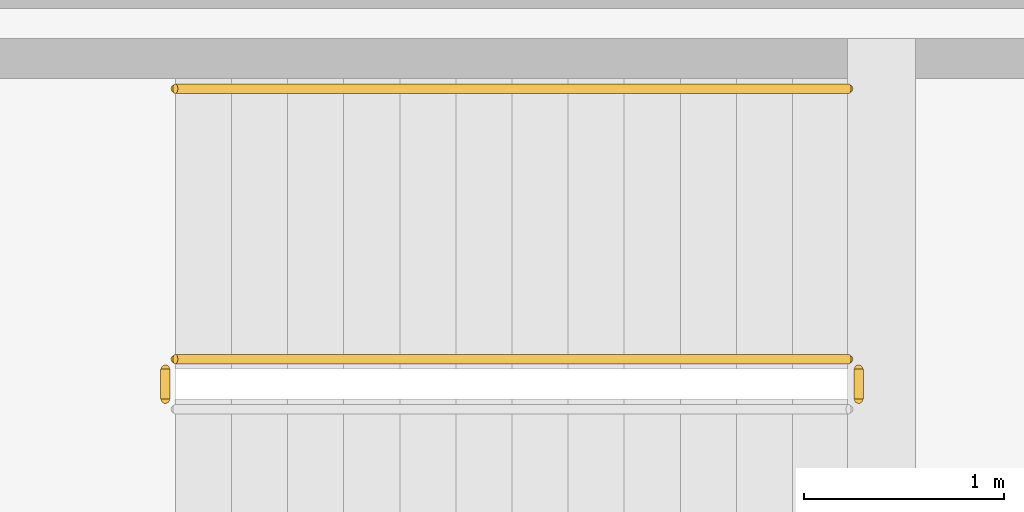
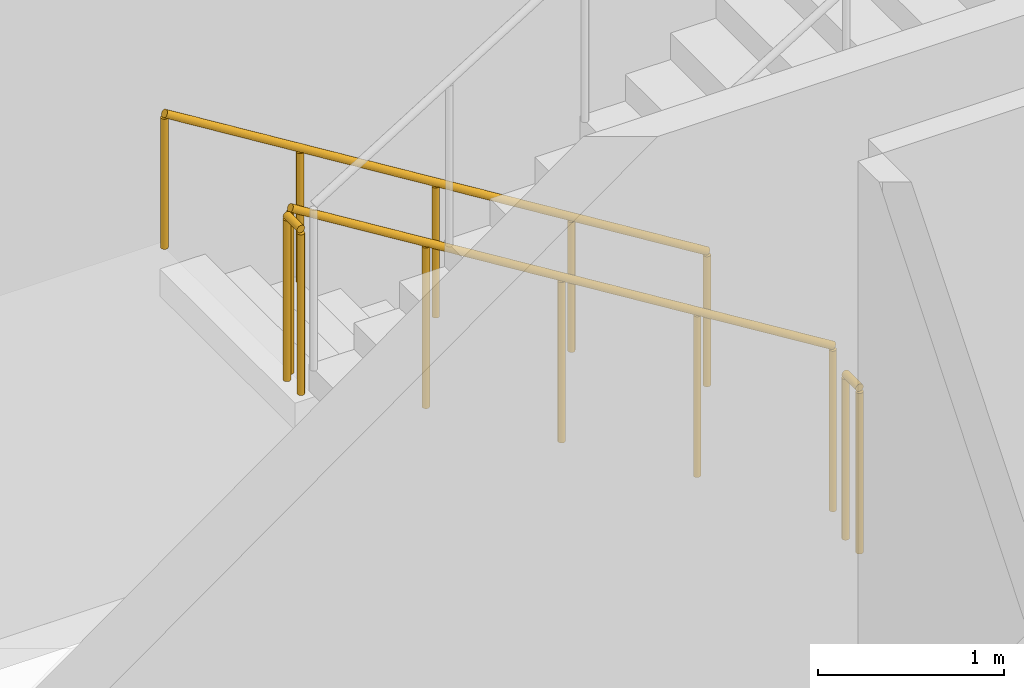
# One storey, part 12 of 13: 4 railings.
"""IFC4 building model written with IfcOpenShell, lengths in metres."""

import ifcopenshell
import ifcopenshell.guid

model = None  # the IFC model being written
_history = None  # IfcOwnerHistory: only IFC2X3 demands one
_inside = {}  # id of a spatial element -> (the spatial element, [elements in it])
_under = {}  # id of a project, library or spatial element -> (it, [spatial elements below it])
_declared = {}  # id of a project -> (the project, [libraries it declares])
_typed = {}  # id of a type object -> (the type object, [elements of that type])
_made_of = {}  # id of a material, layer set ... -> (it, [elements and type objects made of it])


def new_model(schema):
    """Start an empty IFC model of exactly this schema.

    Asked for "IFC4X3", IfcOpenShell would pick the latest addendum, in which some entities
    have other attributes; the version numbers below select the first issue.
    IFC2X3 requires an IfcOwnerHistory on every rooted entity: one is made here for all.
    """
    global model, _history
    if schema == "IFC4X3":
        model = ifcopenshell.file(schema_version=(4, 3, 0, 0))
    else:
        model = ifcopenshell.file(schema=schema)
    _inside.clear()
    _under.clear()
    _declared.clear()
    _typed.clear()
    _made_of.clear()
    _history = None
    if model.schema == "IFC2X3":
        org = make("IfcOrganization", Name="unknown")
        user = make(
            "IfcPersonAndOrganization",
            ThePerson=make("IfcPerson", FamilyName="unknown"),
            TheOrganization=org,
        )
        app = make(
            "IfcApplication",
            ApplicationDeveloper=org,
            Version="unknown",
            ApplicationFullName="unknown",
            ApplicationIdentifier="unknown",
        )
        _history = make(
            "IfcOwnerHistory",
            OwningUser=user,
            OwningApplication=app,
            ChangeAction="ADDED",
            CreationDate=0,
        )
    return model


def make(cls, **values):
    """One entity of the class cls with the attributes given. An attribute that is None is left unset."""
    return model.create_entity(
        cls, **{name: value for name, value in values.items() if value is not None}
    )


def rooted(cls, **values):
    """An entity with a GlobalId (a new one), such as an element, a storey or a relation."""
    return make(cls, GlobalId=ifcopenshell.guid.new(), OwnerHistory=_history, **values)


def si_unit(unit_type, name, prefix=None):
    """IfcSIUnit, for example si_unit("LENGTHUNIT", "METRE", prefix="MILLI")."""
    return make("IfcSIUnit", UnitType=unit_type, Prefix=prefix, Name=name)


def assignment(units):
    """IfcUnitAssignment: the units of a project."""
    return None if units is None else make("IfcUnitAssignment", Units=units)


def point(xyz):
    """IfcCartesianPoint."""
    return None if xyz is None else make("IfcCartesianPoint", Coordinates=xyz)


def direction(xyz):
    """IfcDirection."""
    return None if xyz is None else make("IfcDirection", DirectionRatios=xyz)


def frame(location, z_axis=None, x_axis=None):
    """IfcAxis2Placement3D, a coordinate frame: its origin and axes. An axis left out is left unset."""
    return make(
        "IfcAxis2Placement3D",
        Location=point(location),
        Axis=direction(z_axis),
        RefDirection=direction(x_axis),
    )


def frame_2d(location, x_axis=None):
    """IfcAxis2Placement2D, a coordinate frame in the plane: its origin and x axis."""
    return make(
        "IfcAxis2Placement2D", Location=point(location), RefDirection=direction(x_axis)
    )


def origin():
    """The frame at (0, 0, 0) with its axes left unset."""
    return frame((0.0, 0.0, 0.0))


def origin_2d():
    """The frame at (0, 0) in the plane with its x axis left unset."""
    return frame_2d((0.0, 0.0))


def place(relative_to, where):
    """IfcLocalPlacement: puts the frame where relative to a parent placement (None: the world)."""
    return make(
        "IfcLocalPlacement", PlacementRelTo=relative_to, RelativePlacement=where
    )


def context(
    kind, dimensions, precision=None, world=None, true_north=None, identifier=None
):
    """IfcGeometricRepresentationContext, for example the 3D "Model" context."""
    return make(
        "IfcGeometricRepresentationContext",
        ContextIdentifier=identifier,
        ContextType=kind,
        CoordinateSpaceDimension=dimensions,
        Precision=precision,
        WorldCoordinateSystem=world,
        TrueNorth=true_north,
    )


def subcontext(parent, identifier, kind, view, scale=None):
    """IfcGeometricRepresentationSubContext, for example "Body" below "Model"."""
    return make(
        "IfcGeometricRepresentationSubContext",
        ContextIdentifier=identifier,
        ContextType=kind,
        ParentContext=parent,
        TargetScale=scale,
        TargetView=view,
    )


def project(units=None, contexts=None):
    """IfcProject with its units and contexts."""
    return rooted(
        "IfcProject",
        Name="project",
        RepresentationContexts=contexts,
        UnitsInContext=assignment(units),
    )


def spatial(cls, under=None, at=None, **own):
    """A site, building, storey or space (cls), placed at a placement, below another one or the project."""
    s = rooted(cls, ObjectPlacement=at, **own)
    if under is not None:
        _under.setdefault(under.id(), (under, []))[1].append(s)
    return s


def profile(cls, at=None, kind="AREA", **sizes):
    """A parametric profile (cls). Its sizes go by their IFC names, for example OverallWidth=200.0."""
    return make(cls, ProfileType=kind, Position=at, **sizes)


def circle(**sizes):
    """IfcCircleProfileDef."""
    return profile("IfcCircleProfileDef", **sizes)


def extrude(swept, where, along, depth):
    """IfcExtrudedAreaSolid: the profile swept, set in the frame where, extruded along a direction by depth."""
    return make(
        "IfcExtrudedAreaSolid",
        SweptArea=swept,
        Position=where,
        ExtrudedDirection=direction(along),
        Depth=depth,
    )


def shape(context_of_items, identifier, shape_type, items):
    """IfcShapeRepresentation: the items that make up one representation, for example the "Body"."""
    return make(
        "IfcShapeRepresentation",
        ContextOfItems=context_of_items,
        RepresentationIdentifier=identifier,
        RepresentationType=shape_type,
        Items=items,
    )


def material(Name=None, Category=None):
    """IfcMaterial."""
    return make("IfcMaterial", Name=Name, Category=Category)


def made_of(thing, what):
    """Note that an element or type object is made of a material, layer set ...; save() writes the relation."""
    if what is not None:
        _made_of.setdefault(what.id(), (what, []))[1].append(thing)
    return thing


def type_object(cls, material=None, **own):
    """A type object (cls), such as IfcWallType, which elements share."""
    return made_of(rooted(cls, **own), material)


def element(
    cls,
    number,
    at=None,
    inside=None,
    cuts=None,
    type_object=None,
    material=None,
    context=None,
    identifier="Body",
    shape_type=None,
    held_by="IfcProductDefinitionShape",
    body=None,
    shapes=None,
    **own,
):
    """One element of the class cls, such as IfcWall. Its Tag is "e" and its number.

    at: its placement. inside: the storey or other place that contains it. cuts: it is an
    opening in that element (IfcRelVoidsElement). A single representation is given by context,
    identifier, shape_type and body (its items); several are given by shapes. held_by: the class
    of the entity that holds the representations. save() writes the other relations.
    """
    e = rooted(cls, Tag="e%d" % number, ObjectPlacement=at, **own)
    if body is not None:
        shapes = [shape(context, identifier, shape_type, body)]
    if shapes is not None:
        e.Representation = make(held_by, Representations=shapes)
    if inside is not None:
        _inside.setdefault(inside.id(), (inside, []))[1].append(e)
    if cuts is not None:
        rooted(
            "IfcRelVoidsElement", RelatingBuildingElement=cuts, RelatedOpeningElement=e
        )
    if type_object is not None:
        _typed.setdefault(type_object.id(), (type_object, []))[1].append(e)
    return made_of(e, material)


def aggregate(whole, parts):
    """IfcRelAggregates: a whole, such as a stair, and the parts it consists of."""
    return rooted("IfcRelAggregates", RelatingObject=whole, RelatedObjects=parts)


def save(model, path):
    """Write the relations noted so far, then the file.

    IfcRelAggregates (storeys below a building ...), IfcRelContainedInSpatialStructure (elements
    in a storey), IfcRelDefinesByType, IfcRelAssociatesMaterial and IfcRelDeclares: one each for
    every whole, place, type object, material and project.
    """
    for whole, parts in _under.values():
        aggregate(whole, parts)
    for where, things in _inside.values():
        rooted(
            "IfcRelContainedInSpatialStructure",
            RelatedElements=things,
            RelatingStructure=where,
        )
    for kind, things in _typed.values():
        rooted("IfcRelDefinesByType", RelatedObjects=things, RelatingType=kind)
    for what, things in _made_of.values():
        rooted("IfcRelAssociatesMaterial", RelatedObjects=things, RelatingMaterial=what)
    for by, libraries in _declared.values():
        rooted("IfcRelDeclares", RelatingContext=by, RelatedDefinitions=libraries)
    model.write(path)


model = new_model("IFC4")

# Units and contexts
model_context = context("Model", 3, precision=1e-05, world=origin(), true_north=direction((0.0, 1.0)))
body_context = subcontext(model_context, "Body", "Model", "MODEL_VIEW")
ifc_project = project(units=[si_unit("LENGTHUNIT", "METRE"), si_unit("AREAUNIT", "SQUARE_METRE"), si_unit("VOLUMEUNIT", "CUBIC_METRE"), si_unit("PLANEANGLEUNIT", "RADIAN"), si_unit("MASSUNIT", "GRAM", prefix="KILO")], contexts=[model_context])

# Site, building, storey
site_placement = place(None, origin())
site = spatial("IfcSite", under=ifc_project, at=site_placement, CompositionType="ELEMENT")
building_placement = place(site_placement, origin())
building = spatial("IfcBuilding", under=site, at=building_placement, Name="Kinhvarn Gate Tower", CompositionType="ELEMENT")
storey_placement = place(building_placement, frame((0.0, 0.0, 303.050048828125)))
storey = spatial("IfcBuildingStorey", under=building, at=storey_placement, Name="L80", CompositionType="ELEMENT", Elevation=303.050048828125)

# Railings
ifc_material = material(Name="Steel S355", Category="steel")
railing_type_1 = type_object("IfcRailingType", Name="RL-ST-GRD", PredefinedType="BALUSTRADE", material=ifc_material)
railing_1_placement = place(storey_placement, frame((12.0, 34.300048828125, 0.173095703125)))
element("IfcRailing", 1, at=railing_1_placement, inside=storey, type_object=railing_type_1, Name="L80 ST2 stair guard 1", PredefinedType="BALUSTRADE", context=body_context, shape_type="SweptSolid", body=[
    extrude(circle(Radius=0.02392578125, at=origin_2d()), frame((0.0, 0.0, 1.076171875), z_axis=(-0.850623216509, 0.0, 0.525775754039), x_axis=(0.0, -1.0, 0.0)), (0.0, 0.0, 1.0), 3.9501953125),
    extrude(circle(Radius=0.02099609375, at=origin_2d()), origin(), (0.0, 0.0, 1.0), 1.052001953125),
    extrude(circle(Radius=0.02099609375, at=origin_2d()), frame((-0.840087890625, 0.0, 0.519287109375)), (0.0, 0.0, 1.0), 1.052001953125),
    extrude(circle(Radius=0.02099609375, at=origin_2d()), frame((-1.68017578125, 0.0, 1.03857421875)), (0.0, 0.0, 1.0), 1.052001953125),
    extrude(circle(Radius=0.02099609375, at=origin_2d()), frame((-2.52001953125, 0.0, 1.5576171875)), (0.0, 0.0, 1.0), 1.052001953125),
    extrude(circle(Radius=0.02099609375, at=origin_2d()), frame((-3.360107421875, 0.0, 2.076904296875)), (0.0, 0.0, 1.0), 1.052001953125),
])
for number, where, name in (
    (2, (8.590087890625, 34.25, 2.25), "L80 ST2 stair guard 2"),
    (3, (12.050048828125, 34.25, 0.0), "L80 ST2 stair guard 4"),
):
    element("IfcRailing", number, at=place(storey_placement, frame(where)), inside=storey, type_object=railing_type_1, Name=name, PredefinedType="BALUSTRADE", context=body_context, shape_type="SweptSolid", body=[
        extrude(circle(Radius=0.02392578125, at=origin_2d()), frame((0.0, 0.0, 1.076171875), z_axis=(0.0, -1.0, 0.0), x_axis=(1.0, 0.0, 0.0)), (0.0, 0.0, 1.0), 0.14990234375),
        extrude(circle(Radius=0.02099609375, at=origin_2d()), origin(), (0.0, 0.0, 1.0), 1.052001953125),
        extrude(circle(Radius=0.02099609375, at=origin_2d()), frame((0.0, -0.14990234375, 0.0)), (0.0, 0.0, 1.0), 1.052001953125),
    ])
railing_type_2 = type_object("IfcRailingType", Name="RL-ST-HND", PredefinedType="HANDRAIL", material=ifc_material)
railing_2_placement = place(storey_placement, frame((12.0, 35.64990234375, 0.173095703125)))
element("IfcRailing", 4, at=railing_2_placement, inside=storey, type_object=railing_type_2, Name="L80 ST2 stair handrail 1", PredefinedType="HANDRAIL", context=body_context, shape_type="SweptSolid", body=[
    extrude(circle(Radius=0.02392578125, at=origin_2d()), frame((0.0, 0.0, 0.8759765625), z_axis=(-0.850623216509, 0.0, 0.525775754039), x_axis=(0.0, -1.0, 0.0)), (0.0, 0.0, 1.0), 3.9501953125),
    extrude(circle(Radius=0.02099609375, at=origin_2d()), origin(), (0.0, 0.0, 1.0), 0.851806640625),
    extrude(circle(Radius=0.02099609375, at=origin_2d()), frame((-0.840087890625, 0.0, 0.519287109375)), (0.0, 0.0, 1.0), 0.851806640625),
    extrude(circle(Radius=0.02099609375, at=origin_2d()), frame((-1.68017578125, 0.0, 1.03857421875)), (0.0, 0.0, 1.0), 0.851806640625),
    extrude(circle(Radius=0.02099609375, at=origin_2d()), frame((-2.52001953125, 0.0, 1.5576171875)), (0.0, 0.0, 1.0), 0.851806640625),
    extrude(circle(Radius=0.02099609375, at=origin_2d()), frame((-3.360107421875, 0.0, 2.076904296875)), (0.0, 0.0, 1.0), 0.851806640625),
])

save(model, "model.ifc")
